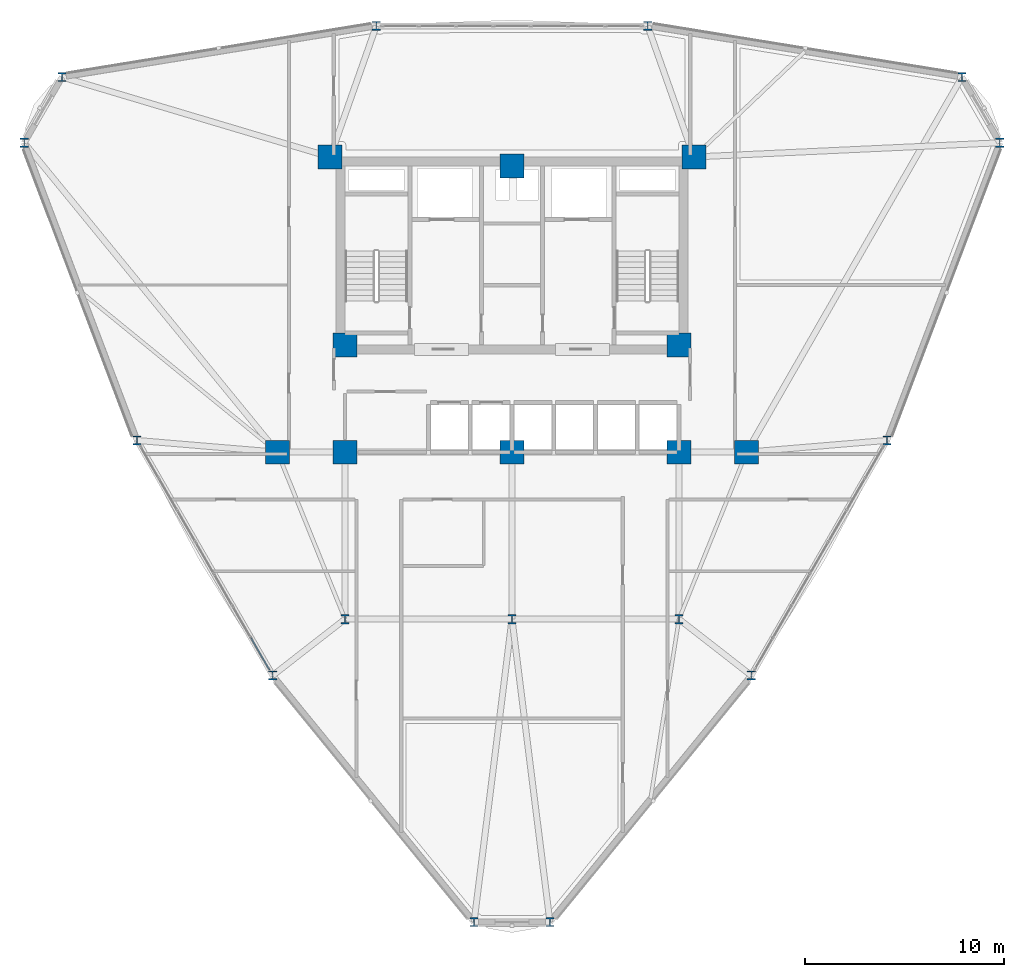
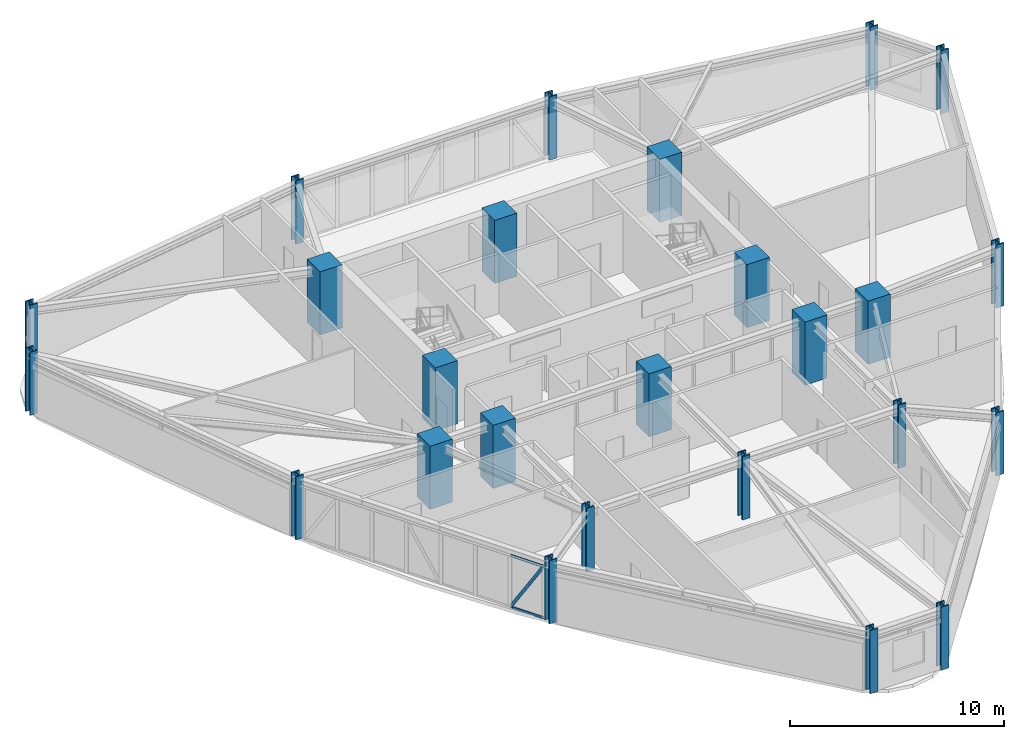
# One storey, part 1 of 17: 25 columns, 3 members, 1 element without a shape of its own.
"""IFC4 building model written with IfcOpenShell, lengths in metres."""

from ifc_helpers import new_model, si_unit, derived_unit, direction, frame, origin, origin_2d, place, context, subcontext, project, spatial, rectangle, hollow_rectangle, i_section, extrude, source, transform, mapped, material, layer, layer_set, material_profile, profile_set, type_object, element, aggregate, save


model = new_model("IFC4")

# Units and contexts
model_context = context("Model", 3, precision=1e-05, world=origin(), true_north=direction((0.0, 1.0)))
body_context = subcontext(model_context, "Body", "Model", "MODEL_VIEW")
ifc_project = project(units=[si_unit("LENGTHUNIT", "METRE"), si_unit("AREAUNIT", "SQUARE_METRE"), si_unit("VOLUMEUNIT", "CUBIC_METRE"), si_unit("PLANEANGLEUNIT", "RADIAN"), si_unit("MASSUNIT", "GRAM", prefix="KILO"), derived_unit("THERMALTRANSMITTANCEUNIT", [(si_unit("POWERUNIT", "WATT"), 1), (si_unit("LENGTHUNIT", "METRE"), -2), (si_unit("THERMODYNAMICTEMPERATUREUNIT", "KELVIN"), -1)])], contexts=[model_context])

# Site, building, storey
site_placement = place(None, origin())
site = spatial("IfcSite", under=ifc_project, at=site_placement, CompositionType="ELEMENT")
building_placement = place(site_placement, origin())
building = spatial("IfcBuilding", under=site, at=building_placement, Name="Korsvarv Bourse and Concert Hall", CompositionType="ELEMENT")
storey_placement = place(building_placement, frame((0.0, 0.0, 124.199951171875)))
storey = spatial("IfcBuildingStorey", under=building, at=storey_placement, Name="L31", CompositionType="ELEMENT", Elevation=124.199951171875)

# Columns
ifc_material_1 = material(Name="Concrete C60/75", Category="concrete")
ifc_material_profile_1 = material_profile(ifc_material_1, rectangle(XDim=1.199951171875, YDim=1.199951171875, at=origin_2d()), Name="RC 1200x1200")
ifc_profile_set_1 = profile_set([ifc_material_profile_1], Name="Concrete C60/75")
column_type_1 = type_object("IfcColumnType", Name="COL-RC1200", PredefinedType="COLUMN", material=ifc_profile_set_1)
shared_shape_1 = source(origin(), body_context, "Body", "SweptSolid", [
    extrude(rectangle(XDim=1.199951171875, YDim=1.199951171875, at=origin_2d()), origin(), (0.0, 0.0, 1.0), 3.60009765625),
])
for number, where, z_axis, x_axis, name in (
    (1, (26.85009765625, 47.25, 0.0), (0.0, 0.0, 1.0), (1.0, 0.0, 0.0), "L31 column C-02"),
    (2, (45.14990234375, 47.25, 0.0), (0.0, 0.0, 1.0), (1.0, 0.0, 0.0), "L31 column C-02"),
    (3, (27.60009765625, 37.800048828125, 0.0), (0.0, 0.0, 1.0), (1.0, 0.0, 0.0), "L31 column C-02"),
    (4, (44.39990234375, 37.800048828125, 0.0), (0.0, 0.0, 1.0), (1.0, 0.0, 0.0), "L31 column C-02"),
    (5, (27.60009765625, 32.39990234375, 0.0), (0.0, 0.0, 1.0), (1.0, 0.0, 0.0), "L31 column C-02"),
    (6, (44.39990234375, 32.39990234375, 0.0), (0.0, 0.0, 1.0), (1.0, 0.0, 0.0), "L31 column C-02"),
    (7, (36.0, 46.800048828125, 0.0), (0.0, 0.0, 1.0), (1.0, 0.0, 0.0), "L31 column C-02"),
    (8, (36.0, 32.39990234375, 0.0), (0.0, 0.0, 1.0), (1.0, 0.0, 0.0), "L31 column C-02"),
    (9, (24.199951171875, 32.39990234375, 0.0), (0.0, 0.0, 1.0), (1.0, 0.0, 0.0), "L31 column C-02"),
    (10, (47.800048828125, 32.39990234375, 0.0), (0.0, 0.0, 1.0), (1.0, 0.0, 0.0), "L31 column C-02"),
):
    element("IfcColumn", number, at=place(storey_placement, frame(where, z_axis=z_axis, x_axis=x_axis)), inside=storey, type_object=column_type_1, Name=name, PredefinedType="COLUMN", context=body_context, shape_type="MappedRepresentation", body=[
        mapped(shared_shape_1, transform((0.0, 0.0, 0.0), scale=1.0)),
    ])
ifc_material_2 = material(Name="Steel S460", Category="steel")
ifc_material_profile_2 = material_profile(ifc_material_2, i_section(OverallWidth=0.424072265625, OverallDepth=0.47412109375, WebThickness=0.044921875, FlangeThickness=0.072021484375, FilletRadius=0.014892578125, at=origin_2d()), Name="HD 400x634")
ifc_profile_set_2 = profile_set([ifc_material_profile_2], Name="Steel S460")
column_type_2 = type_object("IfcColumnType", Name="COL-HD634", PredefinedType="COLUMN", material=ifc_profile_set_2)
shared_shape_2 = source(origin(), body_context, "Body", "SweptSolid", [
    extrude(i_section(OverallWidth=0.424072265625, OverallDepth=0.47412109375, WebThickness=0.044921875, FlangeThickness=0.072021484375, FilletRadius=0.014892578125, at=origin_2d()), origin(), (0.0, 0.0, 1.0), 3.60009765625),
])
for number, where, z_axis, x_axis, name in (
    (11, (27.60009765625, 24.0, 0.0), (0.0, 0.0, 1.0), (1.0, 0.0, 0.0), "L31 column C-07"),
    (12, (44.39990234375, 24.0, 0.0), (0.0, 0.0, 1.0), (1.0, 0.0, 0.0), "L31 column C-07"),
    (13, (36.0, 24.0, 0.0), (0.0, 0.0, 1.0), (1.0, 0.0, 0.0), "L31 column C-07"),
):
    element("IfcColumn", number, at=place(storey_placement, frame(where, z_axis=z_axis, x_axis=x_axis)), inside=storey, type_object=column_type_2, Name=name, PredefinedType="COLUMN", context=body_context, shape_type="MappedRepresentation", body=[
        mapped(shared_shape_2, transform((0.0, 0.0, 0.0), scale=1.0)),
    ])
ifc_material_profile_3 = material_profile(ifc_material_2, i_section(OverallWidth=0.41796875, OverallDepth=0.455078125, WebThickness=0.0390625, FlangeThickness=0.06298828125, FilletRadius=0.014892578125, at=origin_2d()), Name="HD 400x551")
ifc_profile_set_3 = profile_set([ifc_material_profile_3], Name="Steel S460")
column_type_3 = type_object("IfcColumnType", Name="COL-HD551", PredefinedType="COLUMN", material=ifc_profile_set_3)
shared_shape_3 = source(origin(), body_context, "Body", "SweptSolid", [
    extrude(i_section(OverallWidth=0.41796875, OverallDepth=0.455078125, WebThickness=0.0390625, FlangeThickness=0.06298828125, FilletRadius=0.014892578125, at=origin_2d()), origin(), (0.0, 0.0, 1.0), 3.60009765625),
])
for number, where, z_axis, x_axis, name in (
    (14, (60.541748046875, 47.966064453125, 0.0), (0.0, 0.0, 1.0), (1.0, 0.0, 0.0), "L31 column C-08"),
    (15, (58.6337890625, 51.270751953125, 0.0), (0.0, 0.0, 1.0), (1.0, 0.0, 0.0), "L31 column C-08"),
    (16, (42.82666015625, 53.84130859375, 0.0), (0.0, 0.0, 1.0), (1.0, 0.0, 0.0), "L31 column C-08"),
    (17, (29.17333984375, 53.84130859375, 0.0), (0.0, 0.0, 1.0), (1.0, 0.0, 0.0), "L31 column C-08"),
    (18, (13.3662109375, 51.270751953125, 0.0), (0.0, 0.0, 1.0), (1.0, 0.0, 0.0), "L31 column C-08"),
    (19, (11.458251953125, 47.966064453125, 0.0), (0.0, 0.0, 1.0), (1.0, 0.0, 0.0), "L31 column C-08"),
    (20, (17.1357421875, 32.991455078125, 0.0), (0.0, 0.0, 1.0), (1.0, 0.0, 0.0), "L31 column C-08"),
    (21, (23.96240234375, 21.167236328125, 0.0), (0.0, 0.0, 1.0), (1.0, 0.0, 0.0), "L31 column C-08"),
    (22, (34.092041015625, 8.76318359375, 0.0), (0.0, 0.0, 1.0), (1.0, 0.0, 0.0), "L31 column C-08"),
    (23, (37.907958984375, 8.76318359375, 0.0), (0.0, 0.0, 1.0), (1.0, 0.0, 0.0), "L31 column C-08"),
    (24, (48.03759765625, 21.167236328125, 0.0), (0.0, 0.0, 1.0), (1.0, 0.0, 0.0), "L31 column C-08"),
    (25, (54.8642578125, 32.991455078125, 0.0), (0.0, 0.0, 1.0), (1.0, 0.0, 0.0), "L31 column C-08"),
):
    element("IfcColumn", number, at=place(storey_placement, frame(where, z_axis=z_axis, x_axis=x_axis)), inside=storey, type_object=column_type_3, Name=name, PredefinedType="COLUMN", context=body_context, shape_type="MappedRepresentation", body=[
        mapped(shared_shape_3, transform((0.0, 0.0, 0.0), scale=1.0)),
    ])

# Curtain wall, members
ifc_material_3 = material(Name="Anodised aluminium and triple low-E glazing", Category="glass")
ifc_layer = layer(ifc_material_3, 0.2099609375)
ifc_layer_set = layer_set([ifc_layer], Name="Anodised aluminium and triple low-E glazing")
curtain_wall_type = type_object("IfcCurtainWallType", Name="CW-SYS-2", PredefinedType="NOTDEFINED", material=ifc_layer_set)
curtain_wall_placement = place(storey_placement, origin())
curtain_wall = element("IfcCurtainWall", 26, at=curtain_wall_placement, inside=storey, type_object=curtain_wall_type, Name="L31 CW2 curtain wall CW-L31-F07", PredefinedType="NOTDEFINED")
ifc_material_4 = material(Name="Extruded aluminium EN AW-6063 T66", Category="aluminium")
ifc_material_profile_4 = material_profile(ifc_material_4, hollow_rectangle(XDim=0.06494140625, YDim=0.139892578125, WallThickness=0.00390625, at=origin_2d()), Name="ALU-T 65x140")
ifc_profile_set_4 = profile_set([ifc_material_profile_4], Name="Extruded aluminium EN AW-6063 T66")
member_type_1 = type_object("IfcMemberType", Name="CWT-140", PredefinedType="USERDEFINED", material=ifc_profile_set_4)
shared_shape_4 = source(origin(), body_context, "Body", "SweptSolid", [
    extrude(hollow_rectangle(XDim=0.06494140625, YDim=0.139892578125, WallThickness=0.00390625, at=origin_2d()), origin(), (0.0, 0.0, 1.0), 1.75390625),
])
member_1_placement = place(storey_placement, frame((22.890380859375, 23.0244140625, 0.032470703125), z_axis=(0.499971461383, -0.866041879935, 0.0), x_axis=(0.866041879935, 0.499971461383, 0.0)))
member_1 = element("IfcMember", 27, at=member_1_placement, type_object=member_type_1, Name="CW2 transom 7.1", ObjectType="TRANSOM", PredefinedType="USERDEFINED", context=body_context, shape_type="MappedRepresentation", body=[
    mapped(shared_shape_4, transform((0.0, 0.0, 0.0), scale=1.0)),
])
member_2_placement = place(storey_placement, frame((22.890380859375, 23.0244140625, 2.967529296875), z_axis=(0.499971461383, -0.866041879935, 0.0), x_axis=(0.866041879935, 0.499971461383, 0.0)))
member_2 = element("IfcMember", 28, at=member_2_placement, type_object=member_type_1, Name="CW2 transom 7.2", ObjectType="TRANSOM", PredefinedType="USERDEFINED", context=body_context, shape_type="MappedRepresentation", body=[
    mapped(shared_shape_4, transform((0.0, 0.0, 0.0), scale=1.0)),
])
ifc_material_profile_5 = material_profile(ifc_material_4, hollow_rectangle(XDim=0.06494140625, YDim=0.1650390625, WallThickness=0.0048828125, at=origin_2d()), Name="ALU-M 65x165")
ifc_profile_set_5 = profile_set([ifc_material_profile_5], Name="Extruded aluminium EN AW-6063 T66")
member_type_2 = type_object("IfcMemberType", Name="CWM-165", PredefinedType="MULLION", material=ifc_profile_set_5)
shared_shape_5 = source(origin(), body_context, "Body", "SweptSolid", [
    extrude(hollow_rectangle(XDim=0.06494140625, YDim=0.1650390625, WallThickness=0.0048828125, at=origin_2d()), origin(), (0.0, 0.0, 1.0), 3.363525390625),
])
member_3_placement = place(storey_placement, frame((22.890380859375, 23.0244140625, 0.06494140625), z_axis=(0.260715086398, -0.451606143532, 0.853275767175), x_axis=(0.866041879935, 0.499971461383, 0.0)))
member_3 = element("IfcMember", 29, at=member_3_placement, type_object=member_type_2, Name="CW2 diagonal mullion 7", PredefinedType="MULLION", context=body_context, shape_type="MappedRepresentation", body=[
    mapped(shared_shape_5, transform((0.0, 0.0, 0.0), scale=1.0)),
])
aggregate(curtain_wall, [member_1, member_2, member_3])

save(model, "model.ifc")
